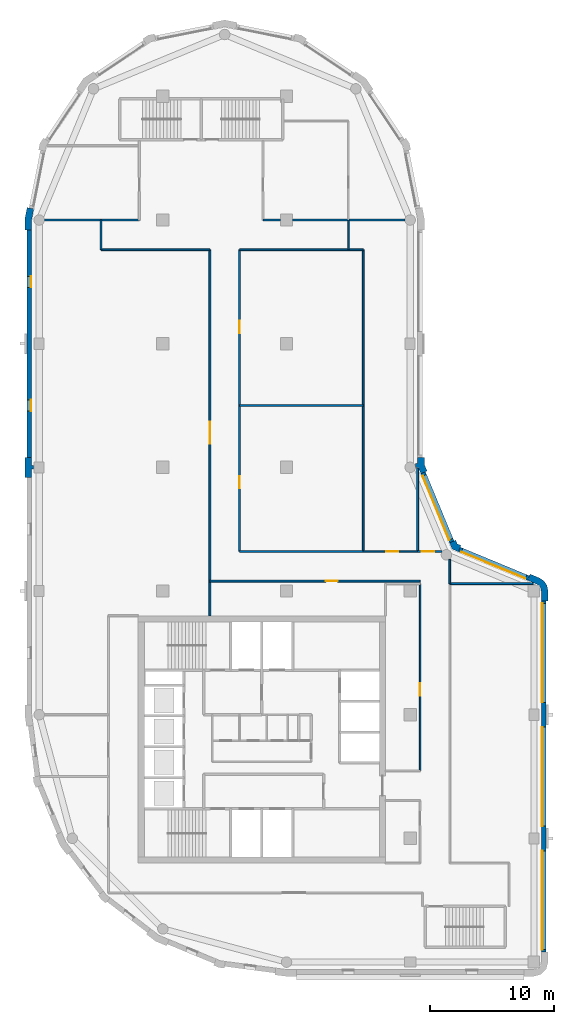
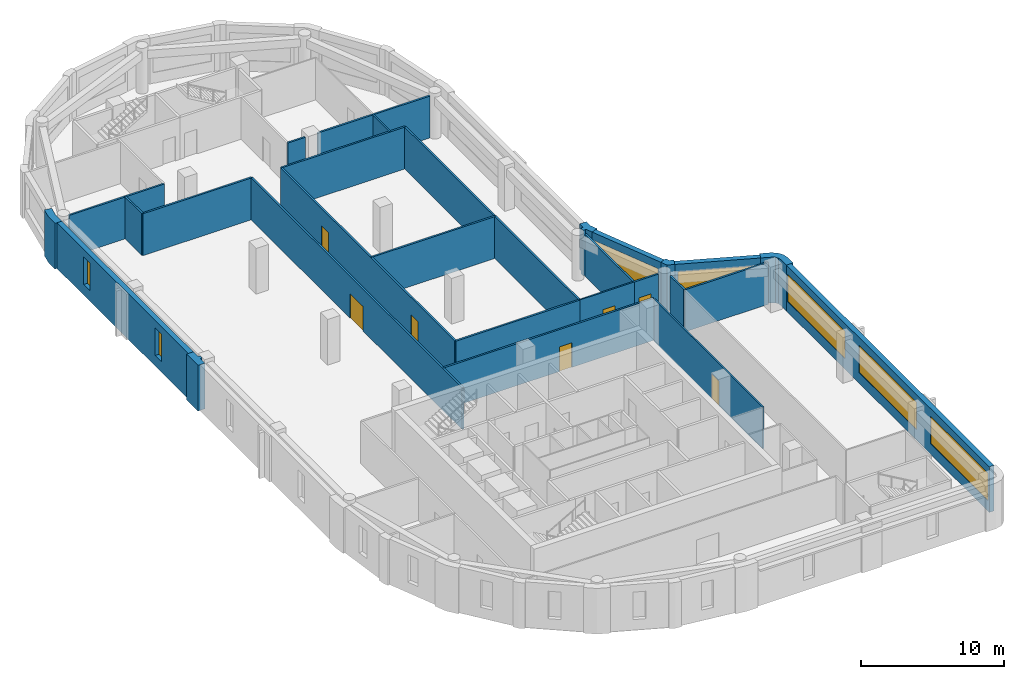
# One storey, part 4 of 8: 28 walls, 7 doors, 7 windows, 14 openings.
"""IFC4 building model written with IfcOpenShell, lengths in metres."""

from ifc_helpers import new_model, si_unit, direction, frame, frame_2d, origin, place, context, subcontext, project, spatial, polyline, rectangle, outline, extrude, material, layer, layer_set, type_object, element, fill, save


model = new_model("IFC4")

# Units and contexts
model_context = context("Model", 3, precision=1e-05, world=origin(), true_north=direction((0.0, 1.0)))
body_context = subcontext(model_context, "Body", "Model", "MODEL_VIEW")
ifc_project = project(units=[si_unit("LENGTHUNIT", "METRE"), si_unit("AREAUNIT", "SQUARE_METRE"), si_unit("VOLUMEUNIT", "CUBIC_METRE"), si_unit("PLANEANGLEUNIT", "RADIAN"), si_unit("MASSUNIT", "GRAM", prefix="KILO")], contexts=[model_context])

# Site, building, storey
site_placement = place(None, origin())
site = spatial("IfcSite", under=ifc_project, at=site_placement, CompositionType="ELEMENT")
building_placement = place(site_placement, origin())
building = spatial("IfcBuilding", under=site, at=building_placement, Name="Qaws Garden Tower", CompositionType="ELEMENT")
storey_placement = place(building_placement, frame((0.0, 0.0, 341.10009765625)))
storey = spatial("IfcBuildingStorey", under=building, at=storey_placement, Name="L83", CompositionType="ELEMENT", Elevation=341.10009765625)

# Wall
ifc_material_1 = material(Name="Clay facing brick masonry", Category="masonry")
ifc_layer_1 = layer(ifc_material_1, 0.550048828125)
ifc_layer_set_1 = layer_set([ifc_layer_1], Name="Clay facing brick masonry")
wall_type_1 = type_object("IfcWallType", Name="Brick corner pier 550 x 2400", PredefinedType="SOLIDWALL", material=ifc_layer_set_1)
placement = place(storey_placement, origin())
element("IfcWall", 1, at=placement, inside=storey, type_object=wall_type_1, Name="E-L83-pier-05", PredefinedType="SOLIDWALL", context=body_context, shape_type="SweptSolid", body=[
    extrude(outline(polyline([(41.0, 29.199951171875), (41.14990234375, 29.199951171875), (41.14990234375, 30.0), (41.0625, 30.440185546875), (40.813232421875, 30.813232421875), (40.440185546875, 31.0625), (39.700927734375, 31.36865234375), (39.6435546875, 31.22998046875), (39.490478515625, 30.860595703125), (40.2294921875, 30.554443359375), (40.42431640625, 30.42431640625), (40.554443359375, 30.2294921875), (40.60009765625, 30.0), (40.60009765625, 29.199951171875), (41.0, 29.199951171875)])), origin(), (0.0, 0.0, 1.0), 3.89990234375),
])

# Wall, openings, windows
ifc_material_2 = material(Name="Clay facing brick masonry", Category="masonry")
ifc_layer_2 = layer(ifc_material_2, 0.39990234375)
ifc_layer_set_2 = layer_set([ifc_layer_2], Name="Clay facing brick masonry")
wall_type_2 = type_object("IfcWallType", Name="Brick infill wall 400", PredefinedType="SOLIDWALL", material=ifc_layer_set_2)
wall_2_placement = place(storey_placement, frame((40.800048828125, 0.800048828125, 0.0), z_axis=(0.0, 0.0, 1.0), x_axis=(0.0, 1.0, 0.0)))
wall_2 = element("IfcWall", 2, at=wall_2_placement, inside=storey, type_object=wall_type_2, Name="E-L83-infill-02", PredefinedType="SOLIDWALL", context=body_context, shape_type="SweptSolid", body=[
    extrude(rectangle(XDim=28.39990234375, YDim=0.39990234375, at=frame_2d((14.199951171875, 0.0))), origin(), (0.0, 0.0, 1.0), 3.89990234375),
])
opening_1_placement = place(wall_2_placement, frame((0.199951171875, 0.0, 0.89990234375)))
opening_1 = element("IfcOpeningElement", 3, at=opening_1_placement, cuts=wall_2, Name="Opening W01", PredefinedType="OPENING", context=body_context, shape_type="SweptSolid", body=[
    extrude(rectangle(XDim=8.0, YDim=2.35009765625, at=frame_2d((4.0, 1.175048828125))), frame((0.0, 0.2099609375, 0.0), z_axis=(0.0, -1.0, 0.0), x_axis=(1.0, 0.0, 0.0)), (0.0, 0.0, 1.0), 0.419921875),
])
opening_2_placement = place(wall_2_placement, frame((10.199951171875, 0.0, 0.89990234375)))
opening_2 = element("IfcOpeningElement", 4, at=opening_2_placement, cuts=wall_2, Name="Opening W01", PredefinedType="OPENING", context=body_context, shape_type="SweptSolid", body=[
    extrude(rectangle(XDim=8.0, YDim=2.35009765625, at=frame_2d((4.0, 1.175048828125))), frame((0.0, 0.2099609375, 0.0), z_axis=(0.0, -1.0, 0.0), x_axis=(1.0, 0.0, 0.0)), (0.0, 0.0, 1.0), 0.419921875),
])
opening_3_placement = place(wall_2_placement, frame((20.199951171875, 0.0, 0.89990234375)))
opening_3 = element("IfcOpeningElement", 5, at=opening_3_placement, cuts=wall_2, Name="Opening W01", PredefinedType="OPENING", context=body_context, shape_type="SweptSolid", body=[
    extrude(rectangle(XDim=8.0, YDim=2.35009765625, at=frame_2d((4.0, 1.175048828125))), frame((0.0, 0.2099609375, 0.0), z_axis=(0.0, -1.0, 0.0), x_axis=(1.0, 0.0, 0.0)), (0.0, 0.0, 1.0), 0.419921875),
])
ifc_material_3 = material(Name="Aluminium framed window, clear glazing", Category="aluminium")
window_type_1 = type_object("IfcWindowType", Name="Ribbon window 8000 x 2350", PartitioningType="DOUBLE_PANEL_VERTICAL", PredefinedType="WINDOW", material=ifc_material_3)
window_1_placement = place(opening_1_placement, origin())
window_1 = element("IfcWindow", 6, at=window_1_placement, inside=storey, type_object=window_type_1, Name="E-L83-window-02-0", OverallHeight=2.35009765625, OverallWidth=8.0, PartitioningType="SINGLE_PANEL", PredefinedType="WINDOW", context=body_context, shape_type="SweptSolid", body=[
    extrude(rectangle(XDim=8.0, YDim=2.35009765625, at=frame_2d((4.0, 1.175048828125))), frame((0.0, 0.159912109375, 0.0), z_axis=(0.0, -1.0, 0.0), x_axis=(1.0, 0.0, 0.0)), (0.0, 0.0, 1.0), 0.06005859375),
])
fill(opening_1, window_1)
window_2_placement = place(opening_2_placement, origin())
window_2 = element("IfcWindow", 7, at=window_2_placement, inside=storey, type_object=window_type_1, Name="E-L83-window-03-0", OverallHeight=2.35009765625, OverallWidth=8.0, PartitioningType="SINGLE_PANEL", PredefinedType="WINDOW", context=body_context, shape_type="SweptSolid", body=[
    extrude(rectangle(XDim=8.0, YDim=2.35009765625, at=frame_2d((4.0, 1.175048828125))), frame((0.0, 0.159912109375, 0.0), z_axis=(0.0, -1.0, 0.0), x_axis=(1.0, 0.0, 0.0)), (0.0, 0.0, 1.0), 0.06005859375),
])
fill(opening_2, window_2)
window_3_placement = place(opening_3_placement, origin())
window_3 = element("IfcWindow", 8, at=window_3_placement, inside=storey, type_object=window_type_1, Name="E-L83-window-04-0", OverallHeight=2.35009765625, OverallWidth=8.0, PartitioningType="SINGLE_PANEL", PredefinedType="WINDOW", context=body_context, shape_type="SweptSolid", body=[
    extrude(rectangle(XDim=8.0, YDim=2.35009765625, at=frame_2d((4.0, 1.175048828125))), frame((0.0, 0.159912109375, 0.0), z_axis=(0.0, -1.0, 0.0), x_axis=(1.0, 0.0, 0.0)), (0.0, 0.0, 1.0), 0.06005859375),
])
fill(opening_3, window_3)

# Wall, opening, window
wall_3_placement = place(storey_placement, frame((39.56689453125, 31.04541015625, 0.0), z_axis=(0.0, 0.0, 1.0), x_axis=(-0.923891000409, 0.382655745237, 0.0)))
wall_3 = element("IfcWall", 9, at=wall_3_placement, inside=storey, type_object=wall_type_2, Name="E-L83-infill-05", PredefinedType="SOLIDWALL", context=body_context, shape_type="SweptSolid", body=[
    extrude(rectangle(XDim=6.053466796875, YDim=0.39990234375, at=frame_2d((3.02685546875, 0.0))), origin(), (0.0, 0.0, 1.0), 3.89990234375),
])
opening_4_placement = place(wall_3_placement, frame((0.226806640625, 0.0, 0.89990234375)))
opening_4 = element("IfcOpeningElement", 10, at=opening_4_placement, cuts=wall_3, Name="Opening W04", PredefinedType="OPENING", context=body_context, shape_type="SweptSolid", body=[
    extrude(rectangle(XDim=5.60009765625, YDim=2.35009765625, at=frame_2d((2.800048828125, 1.175048828125))), frame((0.0, 0.2099609375, 0.0), z_axis=(0.0, -1.0, 0.0), x_axis=(1.0, 0.0, 0.0)), (0.0, 0.0, 1.0), 0.419921875),
])
ifc_material_4 = material(Name="Aluminium framed window, clear glazing", Category="aluminium")
window_type_2 = type_object("IfcWindowType", Name="Ribbon window 5600 x 2350", PartitioningType="DOUBLE_PANEL_VERTICAL", PredefinedType="WINDOW", material=ifc_material_4)
window_4_placement = place(opening_4_placement, origin())
window_4 = element("IfcWindow", 11, at=window_4_placement, inside=storey, type_object=window_type_2, Name="E-L83-window-05-0", OverallHeight=2.35009765625, OverallWidth=5.60009765625, PartitioningType="SINGLE_PANEL", PredefinedType="WINDOW", context=body_context, shape_type="SweptSolid", body=[
    extrude(rectangle(XDim=5.60009765625, YDim=2.35009765625, at=frame_2d((2.800048828125, 1.175048828125))), frame((0.0, 0.159912109375, 0.0), z_axis=(0.0, -1.0, 0.0), x_axis=(1.0, 0.0, 0.0)), (0.0, 0.0, 1.0), 0.06005859375),
])
fill(opening_4, window_4)

wall_4_placement = place(storey_placement, frame((33.36181640625, 33.97412109375, 0.0), z_axis=(0.0, 0.0, 1.0), x_axis=(-0.382655745237, 0.923891000409, 0.0)))
wall_4 = element("IfcWall", 12, at=wall_4_placement, inside=storey, type_object=wall_type_2, Name="E-L83-infill-06", PredefinedType="SOLIDWALL", context=body_context, shape_type="SweptSolid", body=[
    extrude(rectangle(XDim=6.053466796875, YDim=0.39990234375, at=frame_2d((3.02685546875, 0.0))), origin(), (0.0, 0.0, 1.0), 3.89990234375),
])
opening_5_placement = place(wall_4_placement, frame((0.226806640625, 0.0, 0.89990234375)))
opening_5 = element("IfcOpeningElement", 13, at=opening_5_placement, cuts=wall_4, Name="Opening W04", PredefinedType="OPENING", context=body_context, shape_type="SweptSolid", body=[
    extrude(rectangle(XDim=5.60009765625, YDim=2.35009765625, at=frame_2d((2.800048828125, 1.175048828125))), frame((0.0, 0.2099609375, 0.0), z_axis=(0.0, -1.0, 0.0), x_axis=(1.0, 0.0, 0.0)), (0.0, 0.0, 1.0), 0.419921875),
])
window_5_placement = place(opening_5_placement, origin())
window_5 = element("IfcWindow", 14, at=window_5_placement, inside=storey, type_object=window_type_2, Name="E-L83-window-06-0", OverallHeight=2.35009765625, OverallWidth=5.60009765625, PartitioningType="SINGLE_PANEL", PredefinedType="WINDOW", context=body_context, shape_type="SweptSolid", body=[
    extrude(rectangle(XDim=5.60009765625, YDim=2.35009765625, at=frame_2d((2.800048828125, 1.175048828125))), frame((0.0, 0.159912109375, 0.0), z_axis=(0.0, -1.0, 0.0), x_axis=(1.0, 0.0, 0.0)), (0.0, 0.0, 1.0), 0.06005859375),
])
fill(opening_5, window_5)

# Wall, openings, windows
wall_5_placement = place(storey_placement, frame((-0.800048828125, 59.199951171875, 0.0), z_axis=(0.0, 0.0, 1.0), x_axis=(0.0, -1.0, 0.0)))
wall_5 = element("IfcWall", 15, at=wall_5_placement, inside=storey, type_object=wall_type_2, Name="E-L83-infill-17", PredefinedType="SOLIDWALL", context=body_context, shape_type="SweptSolid", body=[
    extrude(rectangle(XDim=18.39990234375, YDim=0.39990234375, at=frame_2d((9.199951171875, 0.0))), origin(), (0.0, 0.0, 1.0), 3.89990234375),
])
opening_6_placement = place(wall_5_placement, frame((3.75, 0.0, 0.89990234375)))
opening_6 = element("IfcOpeningElement", 16, at=opening_6_placement, cuts=wall_5, Name="Opening W09", PredefinedType="OPENING", context=body_context, shape_type="SweptSolid", body=[
    extrude(rectangle(XDim=0.89990234375, YDim=2.35009765625, at=frame_2d((0.449951171875, 1.175048828125))), frame((0.0, 0.2099609375, 0.0), z_axis=(0.0, -1.0, 0.0), x_axis=(1.0, 0.0, 0.0)), (0.0, 0.0, 1.0), 0.419921875),
])
opening_7_placement = place(wall_5_placement, frame((13.75, 0.0, 0.89990234375)))
opening_7 = element("IfcOpeningElement", 17, at=opening_7_placement, cuts=wall_5, Name="Opening W09", PredefinedType="OPENING", context=body_context, shape_type="SweptSolid", body=[
    extrude(rectangle(XDim=0.89990234375, YDim=2.35009765625, at=frame_2d((0.449951171875, 1.175048828125))), frame((0.0, 0.2099609375, 0.0), z_axis=(0.0, -1.0, 0.0), x_axis=(1.0, 0.0, 0.0)), (0.0, 0.0, 1.0), 0.419921875),
])
ifc_material_5 = material(Name="Aluminium framed window, clear glazing", Category="aluminium")
window_type_3 = type_object("IfcWindowType", Name="Slit window 900 x 2350", PartitioningType="SINGLE_PANEL", PredefinedType="WINDOW", material=ifc_material_5)
window_6_placement = place(opening_6_placement, origin())
window_6 = element("IfcWindow", 18, at=window_6_placement, inside=storey, type_object=window_type_3, Name="E-L83-window-17-0", OverallHeight=2.35009765625, OverallWidth=0.89990234375, PartitioningType="SINGLE_PANEL", PredefinedType="WINDOW", context=body_context, shape_type="SweptSolid", body=[
    extrude(rectangle(XDim=0.89990234375, YDim=2.35009765625, at=frame_2d((0.449951171875, 1.175048828125))), frame((0.0, 0.159912109375, 0.0), z_axis=(0.0, -1.0, 0.0), x_axis=(1.0, 0.0, 0.0)), (0.0, 0.0, 1.0), 0.06005859375),
])
fill(opening_6, window_6)
window_7_placement = place(opening_7_placement, origin())
window_7 = element("IfcWindow", 19, at=window_7_placement, inside=storey, type_object=window_type_3, Name="E-L83-window-18-0", OverallHeight=2.35009765625, OverallWidth=0.89990234375, PartitioningType="SINGLE_PANEL", PredefinedType="WINDOW", context=body_context, shape_type="SweptSolid", body=[
    extrude(rectangle(XDim=0.89990234375, YDim=2.35009765625, at=frame_2d((0.449951171875, 1.175048828125))), frame((0.0, 0.159912109375, 0.0), z_axis=(0.0, -1.0, 0.0), x_axis=(1.0, 0.0, 0.0)), (0.0, 0.0, 1.0), 0.06005859375),
])
fill(opening_7, window_7)

# Walls
ifc_material_6 = material(Name="Clay facing brick masonry", Category="masonry")
ifc_layer_3 = layer(ifc_material_6, 0.550048828125)
ifc_layer_set_3 = layer_set([ifc_layer_3], Name="Clay facing brick masonry")
wall_type_3 = type_object("IfcWallType", Name="Brick pier 550 x 1600", PredefinedType="SOLIDWALL", material=ifc_layer_set_3)
element("IfcWall", 20, at=placement, inside=storey, type_object=wall_type_3, Name="E-L83-pier-06", PredefinedType="SOLIDWALL", context=body_context, shape_type="SweptSolid", body=[
    extrude(outline(polyline([(34.05078125, 33.546630859375), (34.108154296875, 33.685302734375), (33.80908203125, 33.80908203125), (33.685302734375, 34.108154296875), (33.546630859375, 34.05078125), (33.177001953125, 33.897705078125), (33.38818359375, 33.38818359375), (33.897705078125, 33.177001953125), (34.05078125, 33.546630859375)])), origin(), (0.0, 0.0, 1.0), 3.89990234375),
])
element("IfcWall", 21, at=placement, inside=storey, type_object=wall_type_3, Name="E-L83-pier-07", PredefinedType="SOLIDWALL", context=body_context, shape_type="SweptSolid", body=[
    extrude(outline(polyline([(30.6201171875, 39.995361328125), (30.6201171875, 40.071044921875), (30.860595703125, 39.490478515625), (31.22998046875, 39.6435546875), (31.36865234375, 39.700927734375), (31.14990234375, 40.228759765625), (31.14990234375, 40.800048828125), (31.0, 40.800048828125), (30.60009765625, 40.800048828125), (30.60009765625, 40.29541015625), (30.425048828125, 40.29541015625), (30.425048828125, 39.995361328125), (30.6201171875, 39.995361328125)])), origin(), (0.0, 0.0, 1.0), 3.89990234375),
])
element("IfcWall", 22, at=placement, inside=storey, type_object=wall_type_3, Name="E-L83-pier-17", PredefinedType="SOLIDWALL", context=body_context, shape_type="SweptSolid", body=[
    extrude(outline(polyline([(-0.82470703125, 60.979736328125), (-0.971923828125, 61.009033203125), (-1.14990234375, 60.11328125), (-1.14990234375, 59.199951171875), (-1.0, 59.199951171875), (-0.60009765625, 59.199951171875), (-0.60009765625, 60.05908203125), (-0.432373046875, 60.901611328125), (-0.82470703125, 60.979736328125)])), origin(), (0.0, 0.0, 1.0), 3.89990234375),
])
element("IfcWall", 23, at=placement, inside=storey, type_object=wall_type_3, Name="E-L83-pier-19", PredefinedType="SOLIDWALL", context=body_context, shape_type="SweptSolid", body=[
    extrude(outline(polyline([(-0.60009765625, 39.199951171875), (-0.60009765625, 39.85009765625), (-0.449951171875, 39.85009765625), (-0.449951171875, 40.14990234375), (-0.60009765625, 40.14990234375), (-0.60009765625, 40.800048828125), (-1.0, 40.800048828125), (-1.14990234375, 40.800048828125), (-1.14990234375, 40.0), (-1.14990234375, 39.199951171875), (-1.0, 39.199951171875), (-0.60009765625, 39.199951171875)])), origin(), (0.0, 0.0, 1.0), 3.89990234375),
])
ifc_material_7 = material(Name="Glass and aluminium framing", Category="aluminium")
ifc_layer_4 = layer(ifc_material_7, 0.1201171875)
ifc_layer_set_4 = layer_set([ifc_layer_4], Name="Glass and aluminium framing")
wall_type_4 = type_object("IfcWallType", Name="GLAZED PARTITION 120 EI 30", PredefinedType="PARTITIONING", material=ifc_layer_set_4)
wall_10_placement = place(storey_placement, frame((25.0, 57.60009765625, 0.0), z_axis=(0.0, 0.0, 1.0), x_axis=(0.0, 1.0, 0.0)))
element("IfcWall", 24, at=wall_10_placement, inside=storey, type_object=wall_type_4, Name="O-L83-wall-028", PredefinedType="PARTITIONING", context=body_context, shape_type="SweptSolid", body=[
    extrude(rectangle(XDim=2.39990234375, YDim=0.1201171875, at=frame_2d((1.199951171875, 0.0))), origin(), (0.0, 0.0, 1.0), 3.579833984375),
])

# Wall, opening, door
wall_11_placement = place(storey_placement, frame((30.800048828125, 15.449951171875, 0.0), z_axis=(0.0, 0.0, 1.0), x_axis=(0.0, 1.0, 0.0)))
wall_11 = element("IfcWall", 25, at=wall_11_placement, inside=storey, type_object=wall_type_4, Name="O-L83-wall-030", PredefinedType="PARTITIONING", context=body_context, shape_type="SweptSolid", body=[
    extrude(rectangle(XDim=15.150146484375, YDim=0.1201171875, at=frame_2d((7.5751953125, 0.0))), origin(), (0.0, 0.0, 1.0), 3.579833984375),
])
opening_8_placement = place(wall_11_placement, frame((6.10009765625, 0.0, 0.0)))
opening_8 = element("IfcOpeningElement", 26, at=opening_8_placement, cuts=wall_11, Name="Opening C1007", PredefinedType="OPENING", context=body_context, shape_type="SweptSolid", body=[
    extrude(rectangle(XDim=1.0, YDim=2.10009765625, at=frame_2d((0.5, 1.050048828125))), frame((0.0, 0.070068359375, 0.0), z_axis=(0.0, -1.0, 0.0), x_axis=(1.0, 0.0, 0.0)), (0.0, 0.0, 1.0), 0.14013671875),
])
ifc_material_8 = material(Name="Timber door leaf", Category="wood")
door_type_1 = type_object("IfcDoorType", Name="TENANCY ENTRANCE DOOR 1000 X 2100", OperationType="SINGLE_SWING_LEFT", PredefinedType="DOOR", material=ifc_material_8)
door_1_placement = place(opening_8_placement, origin())
door_1 = element("IfcDoor", 27, at=door_1_placement, inside=storey, type_object=door_type_1, Name="O-L83-door-007", OperationType="SINGLE_SWING_RIGHT", OverallHeight=2.10009765625, OverallWidth=1.0, PredefinedType="DOOR", context=body_context, shape_type="SweptSolid", body=[
    extrude(rectangle(XDim=1.0, YDim=2.10009765625, at=frame_2d((0.5, 1.050048828125))), frame((0.0, 0.02490234375, 0.0), z_axis=(0.0, -1.0, 0.0), x_axis=(1.0, 0.0, 0.0)), (0.0, 0.0, 1.0), 0.050048828125),
])
fill(opening_8, door_1)

wall_12_placement = place(storey_placement, frame((26.199951171875, 33.199951171875, 0.0), z_axis=(0.0, 0.0, 1.0), x_axis=(1.0, 0.0, 0.0)))
wall_12 = element("IfcWall", 28, at=wall_12_placement, inside=storey, type_object=wall_type_4, Name="O-L83-wall-039", PredefinedType="PARTITIONING", context=body_context, shape_type="SweptSolid", body=[
    extrude(rectangle(XDim=4.400146484375, YDim=0.1201171875, at=frame_2d((2.2001953125, 0.0))), origin(), (0.0, 0.0, 1.0), 3.579833984375),
])
opening_9_placement = place(wall_12_placement, frame((1.85009765625, 0.0, 0.0)))
opening_9 = element("IfcOpeningElement", 29, at=opening_9_placement, cuts=wall_12, Name="Opening C1012", PredefinedType="OPENING", context=body_context, shape_type="SweptSolid", body=[
    extrude(rectangle(XDim=1.0, YDim=2.10009765625, at=frame_2d((0.5, 1.050048828125))), frame((0.0, 0.070068359375, 0.0), z_axis=(0.0, -1.0, 0.0), x_axis=(1.0, 0.0, 0.0)), (0.0, 0.0, 1.0), 0.14013671875),
])
door_2_placement = place(opening_9_placement, origin())
door_2 = element("IfcDoor", 30, at=door_2_placement, inside=storey, type_object=door_type_1, Name="O-L83-door-012", OperationType="SINGLE_SWING_RIGHT", OverallHeight=2.10009765625, OverallWidth=1.0, PredefinedType="DOOR", context=body_context, shape_type="SweptSolid", body=[
    extrude(rectangle(XDim=1.0, YDim=2.10009765625, at=frame_2d((0.5, 1.050048828125))), frame((0.0, 0.02490234375, 0.0), z_axis=(0.0, -1.0, 0.0), x_axis=(1.0, 0.0, 0.0)), (0.0, 0.0, 1.0), 0.050048828125),
])
fill(opening_9, door_2)

# Wall
ifc_material_9 = material(Name="Gypsum board partition")
ifc_layer_5 = layer(ifc_material_9, 0.14990234375)
ifc_layer_set_5 = layer_set([ifc_layer_5], Name="Gypsum board partition")
wall_type_5 = type_object("IfcWallType", Name="PARTITION 150 EI 60", PredefinedType="PARTITIONING", material=ifc_layer_set_5)
wall_13_placement = place(storey_placement, frame((5.0, 57.60009765625, 0.0), z_axis=(0.0, 0.0, 1.0), x_axis=(0.0, 1.0, 0.0)))
element("IfcWall", 31, at=wall_13_placement, inside=storey, type_object=wall_type_5, Name="O-L83-wall-003", PredefinedType="PARTITIONING", context=body_context, shape_type="SweptSolid", body=[
    extrude(rectangle(XDim=2.39990234375, YDim=0.14990234375, at=frame_2d((1.199951171875, 0.0))), origin(), (0.0, 0.0, 1.0), 3.579833984375),
])

# Wall, opening, door
wall_14_placement = place(storey_placement, frame((13.800048828125, 28.0, 0.0), z_axis=(0.0, 0.0, 1.0), x_axis=(0.0, 1.0, 0.0)))
wall_14 = element("IfcWall", 32, at=wall_14_placement, inside=storey, type_object=wall_type_5, Name="O-L83-wall-006", PredefinedType="PARTITIONING", context=body_context, shape_type="SweptSolid", body=[
    extrude(rectangle(XDim=29.60009765625, YDim=0.14990234375, at=frame_2d((14.800048828125, 0.0))), origin(), (0.0, 0.0, 1.0), 3.579833984375),
])
opening_10_placement = place(wall_14_placement, frame((13.90087890625, 0.0, 0.0)))
opening_10 = element("IfcOpeningElement", 33, at=opening_10_placement, cuts=wall_14, Name="Opening C1009", PredefinedType="OPENING", context=body_context, shape_type="SweptSolid", body=[
    extrude(rectangle(XDim=1.800048828125, YDim=2.10009765625, at=frame_2d((0.89990234375, 1.050048828125))), frame((0.0, 0.0849609375, 0.0), z_axis=(0.0, -1.0, 0.0), x_axis=(1.0, 0.0, 0.0)), (0.0, 0.0, 1.0), 0.169921875),
])
ifc_material_10 = material(Name="Timber door leaf", Category="wood")
door_type_2 = type_object("IfcDoorType", Name="DOUBLE DOOR 1800 X 2100", OperationType="DOUBLE_DOOR_SINGLE_SWING", PredefinedType="DOOR", material=ifc_material_10)
door_3_placement = place(opening_10_placement, origin())
door_3 = element("IfcDoor", 34, at=door_3_placement, inside=storey, type_object=door_type_2, Name="O-L83-door-009", OperationType="DOUBLE_DOOR_SINGLE_SWING", OverallHeight=2.10009765625, OverallWidth=1.800048828125, PredefinedType="DOOR", context=body_context, shape_type="SweptSolid", body=[
    extrude(rectangle(XDim=1.800048828125, YDim=2.10009765625, at=frame_2d((0.89990234375, 1.050048828125))), frame((0.0, 0.02490234375, 0.0), z_axis=(0.0, -1.0, 0.0), x_axis=(1.0, 0.0, 0.0)), (0.0, 0.0, 1.0), 0.050048828125),
])
fill(opening_10, door_3)

# Wall, openings, doors
wall_15_placement = place(storey_placement, frame((16.199951171875, 33.199951171875, 0.0), z_axis=(0.0, 0.0, 1.0), x_axis=(0.0, 1.0, 0.0)))
wall_15 = element("IfcWall", 35, at=wall_15_placement, inside=storey, type_object=wall_type_5, Name="O-L83-wall-007", PredefinedType="PARTITIONING", context=body_context, shape_type="SweptSolid", body=[
    extrude(rectangle(XDim=24.400146484375, YDim=0.14990234375, at=frame_2d((12.2001953125, 0.0))), origin(), (0.0, 0.0, 1.0), 3.579833984375),
])
opening_11_placement = place(wall_15_placement, frame((5.10009765625, 0.0, 0.0)))
opening_11 = element("IfcOpeningElement", 36, at=opening_11_placement, cuts=wall_15, Name="Opening C1010", PredefinedType="OPENING", context=body_context, shape_type="SweptSolid", body=[
    extrude(rectangle(XDim=1.0, YDim=2.10009765625, at=frame_2d((0.5, 1.050048828125))), frame((0.0, 0.0849609375, 0.0), z_axis=(0.0, -1.0, 0.0), x_axis=(1.0, 0.0, 0.0)), (0.0, 0.0, 1.0), 0.169921875),
])
opening_12_placement = place(wall_15_placement, frame((17.64990234375, 0.0, 0.0)))
opening_12 = element("IfcOpeningElement", 37, at=opening_12_placement, cuts=wall_15, Name="Opening C1011", PredefinedType="OPENING", context=body_context, shape_type="SweptSolid", body=[
    extrude(rectangle(XDim=1.0, YDim=2.10009765625, at=frame_2d((0.5, 1.050048828125))), frame((0.0, 0.0849609375, 0.0), z_axis=(0.0, -1.0, 0.0), x_axis=(1.0, 0.0, 0.0)), (0.0, 0.0, 1.0), 0.169921875),
])
door_4_placement = place(opening_11_placement, frame((1.0, 0.0, 0.0), z_axis=(0.0, 0.0, 1.0), x_axis=(-1.0, 0.0, 0.0)))
door_4 = element("IfcDoor", 38, at=door_4_placement, inside=storey, type_object=door_type_1, Name="O-L83-door-010", OperationType="SINGLE_SWING_RIGHT", OverallHeight=2.10009765625, OverallWidth=1.0, PredefinedType="DOOR", context=body_context, shape_type="SweptSolid", body=[
    extrude(rectangle(XDim=1.0, YDim=2.10009765625, at=frame_2d((0.5, 1.050048828125))), frame((0.0, 0.02490234375, 0.0), z_axis=(0.0, -1.0, 0.0), x_axis=(1.0, 0.0, 0.0)), (0.0, 0.0, 1.0), 0.050048828125),
])
fill(opening_11, door_4)
door_5_placement = place(opening_12_placement, frame((1.0, 0.0, 0.0), z_axis=(0.0, 0.0, 1.0), x_axis=(-1.0, 0.0, 0.0)))
door_5 = element("IfcDoor", 39, at=door_5_placement, inside=storey, type_object=door_type_1, Name="O-L83-door-011", OperationType="SINGLE_SWING_RIGHT", OverallHeight=2.10009765625, OverallWidth=1.0, PredefinedType="DOOR", context=body_context, shape_type="SweptSolid", body=[
    extrude(rectangle(XDim=1.0, YDim=2.10009765625, at=frame_2d((0.5, 1.050048828125))), frame((0.0, 0.02490234375, 0.0), z_axis=(0.0, -1.0, 0.0), x_axis=(1.0, 0.0, 0.0)), (0.0, 0.0, 1.0), 0.050048828125),
])
fill(opening_12, door_5)

# Walls
wall_16_placement = place(storey_placement, frame((26.199951171875, 33.199951171875, 0.0), z_axis=(0.0, 0.0, 1.0), x_axis=(0.0, 1.0, 0.0)))
element("IfcWall", 40, at=wall_16_placement, inside=storey, type_object=wall_type_5, Name="O-L83-wall-009", PredefinedType="PARTITIONING", context=body_context, shape_type="SweptSolid", body=[
    extrude(rectangle(XDim=24.400146484375, YDim=0.14990234375, at=frame_2d((12.2001953125, 0.0))), origin(), (0.0, 0.0, 1.0), 3.579833984375),
])
wall_17_placement = place(storey_placement, frame((30.60009765625, 33.199951171875, 0.0), z_axis=(0.0, 0.0, 1.0), x_axis=(0.0, 1.0, 0.0)))
element("IfcWall", 41, at=wall_17_placement, inside=storey, type_object=wall_type_5, Name="O-L83-wall-011", PredefinedType="PARTITIONING", context=body_context, shape_type="SweptSolid", body=[
    extrude(rectangle(XDim=6.73828125, YDim=0.14990234375, at=frame_2d((3.369140625, 0.0))), origin(), (0.0, 0.0, 1.0), 3.579833984375),
])
wall_18_placement = place(storey_placement, frame((33.199951171875, 30.60009765625, 0.0), z_axis=(0.0, 0.0, 1.0), x_axis=(0.0, 1.0, 0.0)))
element("IfcWall", 42, at=wall_18_placement, inside=storey, type_object=wall_type_5, Name="O-L83-wall-012", PredefinedType="PARTITIONING", context=body_context, shape_type="SweptSolid", body=[
    extrude(rectangle(XDim=1.951904296875, YDim=0.14990234375, at=frame_2d((0.97607421875, 0.0))), origin(), (0.0, 0.0, 1.0), 3.579833984375),
])
wall_19_placement = place(storey_placement, frame((33.199951171875, 30.60009765625, 0.0), z_axis=(0.0, 0.0, 1.0), x_axis=(1.0, 0.0, 0.0)))
element("IfcWall", 43, at=wall_19_placement, inside=storey, type_object=wall_type_5, Name="O-L83-wall-017", PredefinedType="PARTITIONING", context=body_context, shape_type="SweptSolid", body=[
    extrude(rectangle(XDim=6.73828125, YDim=0.14990234375, at=frame_2d((3.369140625, 0.0))), origin(), (0.0, 0.0, 1.0), 3.579833984375),
])

# Wall, opening, door
wall_20_placement = place(storey_placement, frame((13.802001953125, 30.800048828125, 0.0), z_axis=(0.0, 0.0, 1.0), x_axis=(1.0, 0.0, 0.0)))
wall_20 = element("IfcWall", 44, at=wall_20_placement, inside=storey, type_object=wall_type_5, Name="O-L83-wall-018", PredefinedType="PARTITIONING", context=body_context, shape_type="SweptSolid", body=[
    extrude(rectangle(XDim=16.998046875, YDim=0.14990234375, at=frame_2d((8.4990234375, 0.0))), origin(), (0.0, 0.0, 1.0), 3.579833984375),
])
opening_13_placement = place(wall_20_placement, frame((9.35009765625, 0.0, 0.0)))
opening_13 = element("IfcOpeningElement", 45, at=opening_13_placement, cuts=wall_20, Name="Opening C1005", PredefinedType="OPENING", context=body_context, shape_type="SweptSolid", body=[
    extrude(rectangle(XDim=1.0, YDim=2.10009765625, at=frame_2d((0.5, 1.050048828125))), frame((0.0, 0.0849609375, 0.0), z_axis=(0.0, -1.0, 0.0), x_axis=(1.0, 0.0, 0.0)), (0.0, 0.0, 1.0), 0.169921875),
])
door_6_placement = place(opening_13_placement, frame((1.0, 0.0, 0.0), z_axis=(0.0, 0.0, 1.0), x_axis=(-1.0, 0.0, 0.0)))
door_6 = element("IfcDoor", 46, at=door_6_placement, inside=storey, type_object=door_type_1, Name="O-L83-door-005", OperationType="SINGLE_SWING_LEFT", OverallHeight=2.10009765625, OverallWidth=1.0, PredefinedType="DOOR", context=body_context, shape_type="SweptSolid", body=[
    extrude(rectangle(XDim=1.0, YDim=2.10009765625, at=frame_2d((0.5, 1.050048828125))), frame((0.0, 0.02490234375, 0.0), z_axis=(0.0, -1.0, 0.0), x_axis=(1.0, 0.0, 0.0)), (0.0, 0.0, 1.0), 0.050048828125),
])
fill(opening_13, door_6)

# Wall
wall_21_placement = place(storey_placement, frame((16.199951171875, 33.199951171875, 0.0), z_axis=(0.0, 0.0, 1.0), x_axis=(1.0, 0.0, 0.0)))
element("IfcWall", 47, at=wall_21_placement, inside=storey, type_object=wall_type_5, Name="O-L83-wall-019", PredefinedType="PARTITIONING", context=body_context, shape_type="SweptSolid", body=[
    extrude(rectangle(XDim=10.0, YDim=0.14990234375, at=frame_2d((5.0, 0.0))), origin(), (0.0, 0.0, 1.0), 3.579833984375),
])

# Wall, opening, door
wall_22_placement = place(storey_placement, frame((30.60009765625, 33.199951171875, 0.0), z_axis=(0.0, 0.0, 1.0), x_axis=(1.0, 0.0, 0.0)))
wall_22 = element("IfcWall", 48, at=wall_22_placement, inside=storey, type_object=wall_type_5, Name="O-L83-wall-020", PredefinedType="PARTITIONING", context=body_context, shape_type="SweptSolid", body=[
    extrude(rectangle(XDim=1.951904296875, YDim=0.14990234375, at=frame_2d((0.97607421875, 0.0))), origin(), (0.0, 0.0, 1.0), 3.579833984375),
])
opening_14_placement = place(wall_22_placement, frame((0.35009765625, 0.0, 0.0)))
opening_14 = element("IfcOpeningElement", 49, at=opening_14_placement, cuts=wall_22, Name="Opening C1004", PredefinedType="OPENING", context=body_context, shape_type="SweptSolid", body=[
    extrude(rectangle(XDim=1.0, YDim=2.10009765625, at=frame_2d((0.5, 1.050048828125))), frame((0.0, 0.0849609375, 0.0), z_axis=(0.0, -1.0, 0.0), x_axis=(1.0, 0.0, 0.0)), (0.0, 0.0, 1.0), 0.169921875),
])
door_7_placement = place(opening_14_placement, origin())
door_7 = element("IfcDoor", 50, at=door_7_placement, inside=storey, type_object=door_type_1, Name="O-L83-door-004", OperationType="SINGLE_SWING_LEFT", OverallHeight=2.10009765625, OverallWidth=1.0, PredefinedType="DOOR", context=body_context, shape_type="SweptSolid", body=[
    extrude(rectangle(XDim=1.0, YDim=2.10009765625, at=frame_2d((0.5, 1.050048828125))), frame((0.0, 0.02490234375, 0.0), z_axis=(0.0, -1.0, 0.0), x_axis=(1.0, 0.0, 0.0)), (0.0, 0.0, 1.0), 0.050048828125),
])
fill(opening_14, door_7)

# Walls
wall_23_placement = place(storey_placement, frame((16.199951171875, 45.0, 0.0), z_axis=(0.0, 0.0, 1.0), x_axis=(1.0, 0.0, 0.0)))
element("IfcWall", 51, at=wall_23_placement, inside=storey, type_object=wall_type_5, Name="O-L83-wall-021", PredefinedType="PARTITIONING", context=body_context, shape_type="SweptSolid", body=[
    extrude(rectangle(XDim=10.0, YDim=0.14990234375, at=frame_2d((5.0, 0.0))), origin(), (0.0, 0.0, 1.0), 3.579833984375),
])
wall_24_placement = place(storey_placement, frame((5.0, 57.60009765625, 0.0), z_axis=(0.0, 0.0, 1.0), x_axis=(1.0, 0.0, 0.0)))
element("IfcWall", 52, at=wall_24_placement, inside=storey, type_object=wall_type_5, Name="O-L83-wall-022", PredefinedType="PARTITIONING", context=body_context, shape_type="SweptSolid", body=[
    extrude(rectangle(XDim=8.800048828125, YDim=0.14990234375, at=frame_2d((4.39990234375, 0.0))), origin(), (0.0, 0.0, 1.0), 3.579833984375),
])
wall_25_placement = place(storey_placement, frame((16.199951171875, 57.60009765625, 0.0), z_axis=(0.0, 0.0, 1.0), x_axis=(1.0, 0.0, 0.0)))
element("IfcWall", 53, at=wall_25_placement, inside=storey, type_object=wall_type_5, Name="O-L83-wall-023", PredefinedType="PARTITIONING", context=body_context, shape_type="SweptSolid", body=[
    extrude(rectangle(XDim=10.0, YDim=0.14990234375, at=frame_2d((5.0, 0.0))), origin(), (0.0, 0.0, 1.0), 3.579833984375),
])
wall_26_placement = place(storey_placement, frame((0.425048828125, 60.0, 0.0), z_axis=(0.0, 0.0, 1.0), x_axis=(1.0, 0.0, 0.0)))
element("IfcWall", 54, at=wall_26_placement, inside=storey, type_object=wall_type_5, Name="O-L83-wall-024", PredefinedType="PARTITIONING", context=body_context, shape_type="SweptSolid", body=[
    extrude(rectangle(XDim=7.675048828125, YDim=0.14990234375, at=frame_2d((3.83740234375, 0.0))), origin(), (0.0, 0.0, 1.0), 3.579833984375),
])
wall_27_placement = place(storey_placement, frame((18.10009765625, 60.0, 0.0), z_axis=(0.0, 0.0, 1.0), x_axis=(1.0, 0.0, 0.0)))
element("IfcWall", 55, at=wall_27_placement, inside=storey, type_object=wall_type_5, Name="O-L83-wall-025", PredefinedType="PARTITIONING", context=body_context, shape_type="SweptSolid", body=[
    extrude(rectangle(XDim=1.39990234375, YDim=0.14990234375, at=frame_2d((0.699951171875, 0.0))), origin(), (0.0, 0.0, 1.0), 3.579833984375),
])
wall_28_placement = place(storey_placement, frame((20.5, 60.0, 0.0), z_axis=(0.0, 0.0, 1.0), x_axis=(1.0, 0.0, 0.0)))
element("IfcWall", 56, at=wall_28_placement, inside=storey, type_object=wall_type_5, Name="O-L83-wall-026", PredefinedType="PARTITIONING", context=body_context, shape_type="SweptSolid", body=[
    extrude(rectangle(XDim=9.074951171875, YDim=0.14990234375, at=frame_2d((4.53759765625, 0.0))), origin(), (0.0, 0.0, 1.0), 3.579833984375),
])

save(model, "model.ifc")
